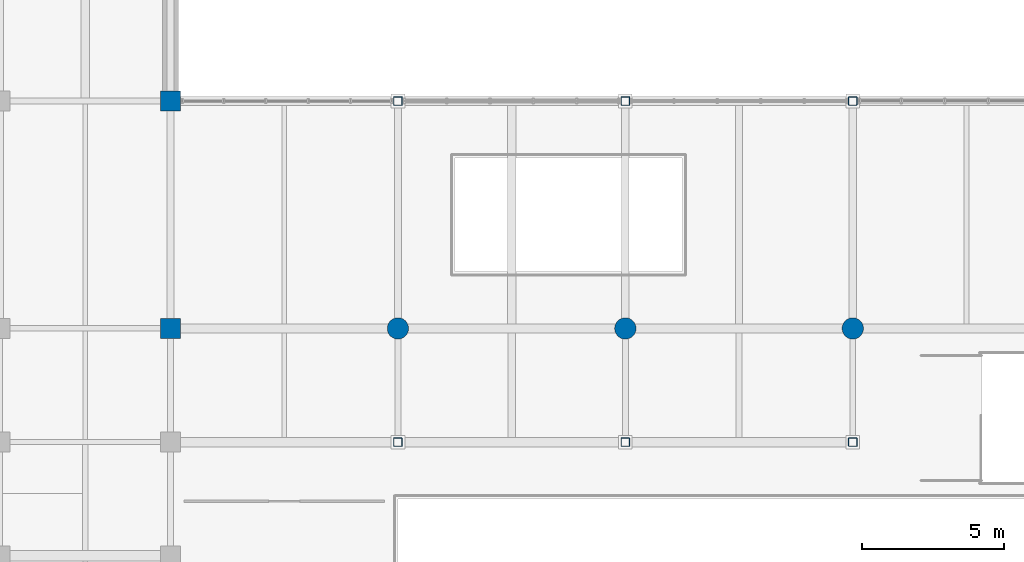
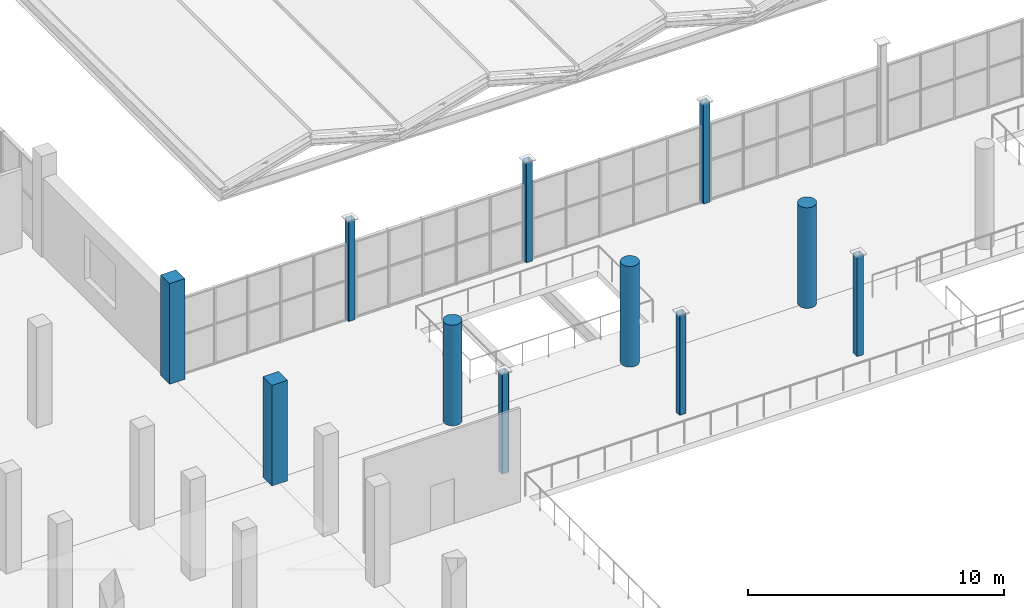
# One storey, part 4 of 114: 11 columns.
"""IFC4 building model written with IfcOpenShell, lengths in metres."""

from ifc_helpers import new_model, si_unit, direction, frame, origin, origin_2d, place, context, subcontext, project, spatial, rectangle, hollow_rectangle, circle, extrude, material, material_profile, profile_set, type_object, element, save


model = new_model("IFC4")

# Units and contexts
model_context = context("Model", 3, precision=1e-05, world=origin(), true_north=direction((0.0, 1.0)))
body_context = subcontext(model_context, "Body", "Model", "MODEL_VIEW")
ifc_project = project(units=[si_unit("LENGTHUNIT", "METRE"), si_unit("AREAUNIT", "SQUARE_METRE"), si_unit("VOLUMEUNIT", "CUBIC_METRE"), si_unit("PLANEANGLEUNIT", "RADIAN"), si_unit("MASSUNIT", "GRAM", prefix="KILO")], contexts=[model_context])

# Site, building, storey
site_placement = place(None, origin())
site = spatial("IfcSite", under=ifc_project, at=site_placement, CompositionType="ELEMENT")
building_placement = place(site_placement, origin())
building = spatial("IfcBuilding", under=site, at=building_placement, Name="Verrall Gate Interchange", CompositionType="ELEMENT")
storey_placement = place(building_placement, frame((0.0, 0.0, 6.60009765625)))
storey = spatial("IfcBuildingStorey", under=building, at=storey_placement, Name="L02", CompositionType="ELEMENT", Elevation=6.60009765625)

# Columns
ifc_material_1 = material(Name="Concrete CSA A23.1 40 MPa (Class N)", Category="concrete")
ifc_material_profile_1 = material_profile(ifc_material_1, rectangle(XDim=0.699951171875, YDim=0.699951171875, at=origin_2d()), Name="RC700x700")
ifc_profile_set_1 = profile_set([ifc_material_profile_1], Name="Concrete CSA A23.1 40 MPa (Class N)")
column_type_1 = type_object("IfcColumnType", Name="C-03 Column RC700x700", PredefinedType="COLUMN", material=ifc_profile_set_1)
for number, where, z_axis, x_axis, name in (
    (1, (36.0, 48.0, 0.0), (0.0, 0.0, 1.0), (1.0, 0.0, 0.0), "L02 Column COL-L02-0789 (C-03)"),
    (2, (36.0, 56.0, 0.0), (0.0, 0.0, 1.0), (1.0, 0.0, 0.0), "L02 Column COL-L02-0797 (C-03)"),
):
    element("IfcColumn", number, at=place(storey_placement, frame(where, z_axis=z_axis, x_axis=x_axis)), inside=storey, type_object=column_type_1, Name=name, PredefinedType="COLUMN", context=body_context, shape_type="SweptSolid", body=[
        extrude(rectangle(XDim=0.699951171875, YDim=0.699951171875, at=origin_2d()), origin(), (0.0, 0.0, 1.0), 4.7998046875),
    ])
ifc_material_2 = material(Name="Concrete CSA A23.1 40 MPa (Class N)", Category="concrete")
ifc_material_profile_2 = material_profile(ifc_material_2, circle(Radius=0.375, at=origin_2d()), Name="RC750D")
ifc_profile_set_2 = profile_set([ifc_material_profile_2], Name="Concrete CSA A23.1 40 MPa (Class N)")
column_type_2 = type_object("IfcColumnType", Name="C-07 Column RC750D", PredefinedType="COLUMN", material=ifc_profile_set_2)
for number, where, z_axis, x_axis, name in (
    (3, (44.0, 48.0, 0.0), (0.0, 0.0, 1.0), (1.0, 0.0, 0.0), "L02 Column COL-L02-0857 (C-07)"),
    (4, (52.0, 48.0, 0.0), (0.0, 0.0, 1.0), (1.0, 0.0, 0.0), "L02 Column COL-L02-0895 (C-07)"),
    (5, (60.0, 48.0, 0.0), (0.0, 0.0, 1.0), (1.0, 0.0, 0.0), "L02 Column COL-L02-0931 (C-07)"),
):
    element("IfcColumn", number, at=place(storey_placement, frame(where, z_axis=z_axis, x_axis=x_axis)), inside=storey, type_object=column_type_2, Name=name, PredefinedType="COLUMN", context=body_context, shape_type="SweptSolid", body=[
        extrude(circle(Radius=0.375, at=origin_2d()), origin(), (0.0, 0.0, 1.0), 4.7998046875),
    ])
ifc_material_3 = material(Name="Structural Steel CSA G40.21 350WT Cat 4", Category="steel")
ifc_material_profile_3 = material_profile(ifc_material_3, hollow_rectangle(XDim=0.304931640625, YDim=0.304931640625, WallThickness=0.0126953125, InnerFilletRadius=0.0126953125, OuterFilletRadius=0.025390625, at=origin_2d()), Name="HSS305x305x13")
ifc_profile_set_3 = profile_set([ifc_material_profile_3], Name="Structural Steel CSA G40.21 350WT Cat 4")
column_type_3 = type_object("IfcColumnType", Name="C-12 Column HSS305x305x13", PredefinedType="COLUMN", material=ifc_profile_set_3)
for number, where, z_axis, x_axis, name in (
    (6, (44.0, 44.0, 0.0), (0.0, 0.0, 1.0), (1.0, 0.0, 0.0), "L02 Column COL-L02-0853 (C-12)"),
    (7, (44.0, 56.0, 0.0), (0.0, 0.0, 1.0), (1.0, 0.0, 0.0), "L02 Column COL-L02-0861 (C-12)"),
    (8, (52.0, 44.0, 0.0), (0.0, 0.0, 1.0), (1.0, 0.0, 0.0), "L02 Column COL-L02-0891 (C-12)"),
    (9, (52.0, 56.0, 0.0), (0.0, 0.0, 1.0), (1.0, 0.0, 0.0), "L02 Column COL-L02-0899 (C-12)"),
    (10, (60.0, 44.0, 0.0), (0.0, 0.0, 1.0), (1.0, 0.0, 0.0), "L02 Column COL-L02-0927 (C-12)"),
    (11, (60.0, 56.0, 0.0), (0.0, 0.0, 1.0), (1.0, 0.0, 0.0), "L02 Column COL-L02-0935 (C-12)"),
):
    element("IfcColumn", number, at=place(storey_placement, frame(where, z_axis=z_axis, x_axis=x_axis)), inside=storey, type_object=column_type_3, Name=name, PredefinedType="COLUMN", context=body_context, shape_type="SweptSolid", body=[
        extrude(hollow_rectangle(XDim=0.304931640625, YDim=0.304931640625, WallThickness=0.0126953125, InnerFilletRadius=0.0126953125, OuterFilletRadius=0.025390625, at=origin_2d()), origin(), (0.0, 0.0, 1.0), 4.7998046875),
    ])

save(model, "model.ifc")
